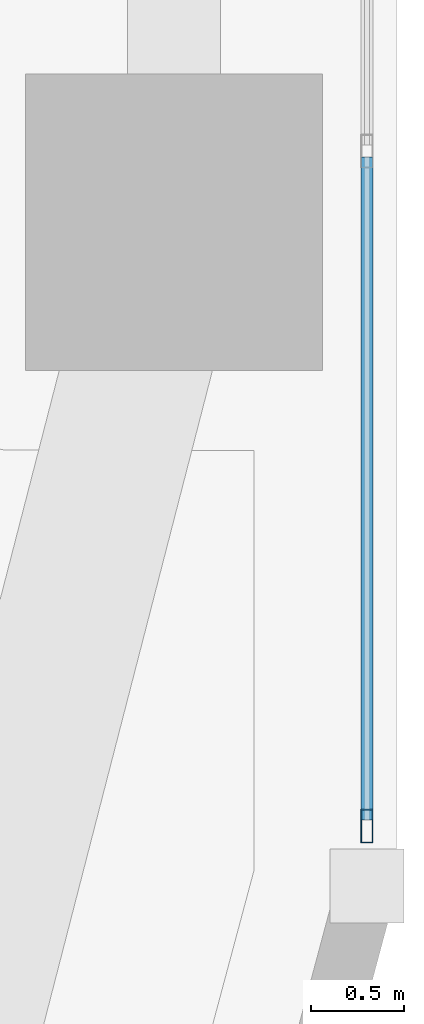
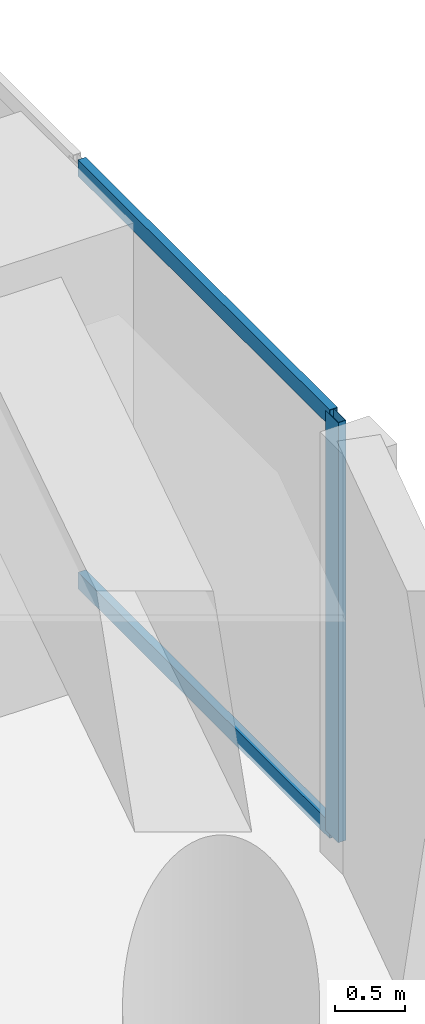
# One storey, part 4 of 28: 3 members, 1 element without a shape of its own.
"""IFC4 building model written with IfcOpenShell, lengths in metres."""

from ifc_helpers import new_model, si_unit, direction, frame, origin, origin_2d, place, context, subcontext, project, spatial, hollow_rectangle, extrude, material, layer, layer_set, material_profile, profile_set, type_object, element, aggregate, save


model = new_model("IFC4")

# Units and contexts
model_context = context("Model", 3, precision=1e-05, world=origin(), true_north=direction((0.0, 1.0)))
body_context = subcontext(model_context, "Body", "Model", "MODEL_VIEW")
ifc_project = project(units=[si_unit("LENGTHUNIT", "METRE"), si_unit("AREAUNIT", "SQUARE_METRE"), si_unit("VOLUMEUNIT", "CUBIC_METRE"), si_unit("PLANEANGLEUNIT", "RADIAN"), si_unit("MASSUNIT", "GRAM", prefix="KILO")], contexts=[model_context])

# Site, building, storey
site_placement = place(None, origin())
site = spatial("IfcSite", under=ifc_project, at=site_placement, CompositionType="ELEMENT")
building_placement = place(site_placement, origin())
building = spatial("IfcBuilding", under=site, at=building_placement, Name="Kiyonajd Concourse Tower", CompositionType="ELEMENT")
storey_placement = place(building_placement, frame((0.0, 0.0, 56.699951171875)))
storey = spatial("IfcBuildingStorey", under=building, at=storey_placement, Name="L15", CompositionType="ELEMENT", Elevation=56.699951171875)

# Curtain wall, members
ifc_material = material(Name="Thermally Broken Anodised Aluminium", Category="aluminium")
ifc_layer = layer(ifc_material, 0.179931640625)
ifc_layer_set = layer_set([ifc_layer], Name="Thermally Broken Anodised Aluminium")
curtain_wall_type = type_object("IfcCurtainWallType", Name="CW-SYS-02", PredefinedType="NOTDEFINED", material=ifc_layer_set)
curtain_wall_placement = place(storey_placement, origin())
curtain_wall = element("IfcCurtainWall", 1, at=curtain_wall_placement, inside=storey, type_object=curtain_wall_type, Name="L15 Unitised Curtain Wall CW2", PredefinedType="NOTDEFINED")
ifc_material_profile_1 = material_profile(ifc_material, hollow_rectangle(XDim=0.06494140625, YDim=0.179931640625, WallThickness=0.00390625, at=origin_2d()), Name="MULL-65x180")
ifc_profile_set_1 = profile_set([ifc_material_profile_1], Name="Thermally Broken Anodised Aluminium")
member_type_1 = type_object("IfcMemberType", Name="MB-CW-MULL1", PredefinedType="MULLION", material=ifc_profile_set_1)
member_1_placement = place(storey_placement, frame((79.0400390625, 15.343505859375, 0.0), z_axis=(0.0, 0.0, 1.0), x_axis=(1.0, 0.0, 0.0)))
member_1 = element("IfcMember", 2, at=member_1_placement, type_object=member_type_1, Name="CW2 mullion 7", PredefinedType="MULLION", context=body_context, shape_type="SweptSolid", body=[
    extrude(hollow_rectangle(XDim=0.06494140625, YDim=0.179931640625, WallThickness=0.00390625, at=origin_2d()), origin(), (0.0, 0.0, 1.0), 3.64013671875),
])
ifc_material_profile_2 = material_profile(ifc_material, hollow_rectangle(XDim=0.06494140625, YDim=0.139892578125, WallThickness=0.00390625, at=origin_2d()), Name="TRAN-65x140")
ifc_profile_set_2 = profile_set([ifc_material_profile_2], Name="Thermally Broken Anodised Aluminium")
member_type_2 = type_object("IfcMemberType", Name="MB-CW-TRAN1", PredefinedType="USERDEFINED", material=ifc_profile_set_2)
member_2_placement = place(storey_placement, frame((79.0400390625, 18.95166015625, 0.032470703125), z_axis=(0.0, -1.0, 0.0), x_axis=(1.0, 0.0, 0.0)))
member_2 = element("IfcMember", 3, at=member_2_placement, type_object=member_type_2, Name="CW2 transom 6.1", ObjectType="TRANSOM", PredefinedType="USERDEFINED", context=body_context, shape_type="SweptSolid", body=[
    extrude(hollow_rectangle(XDim=0.06494140625, YDim=0.139892578125, WallThickness=0.00390625, at=origin_2d()), origin(), (0.0, 0.0, 1.0), 3.575439453125),
])
member_3_placement = place(storey_placement, frame((79.0400390625, 18.95166015625, 3.607666015625), z_axis=(0.0, -1.0, 0.0), x_axis=(1.0, 0.0, 0.0)))
member_3 = element("IfcMember", 4, at=member_3_placement, type_object=member_type_2, Name="CW2 transom 6.2", ObjectType="TRANSOM", PredefinedType="USERDEFINED", context=body_context, shape_type="SweptSolid", body=[
    extrude(hollow_rectangle(XDim=0.06494140625, YDim=0.139892578125, WallThickness=0.00390625, at=origin_2d()), origin(), (0.0, 0.0, 1.0), 3.575439453125),
])
aggregate(curtain_wall, [member_1, member_2, member_3])

save(model, "model.ifc")
